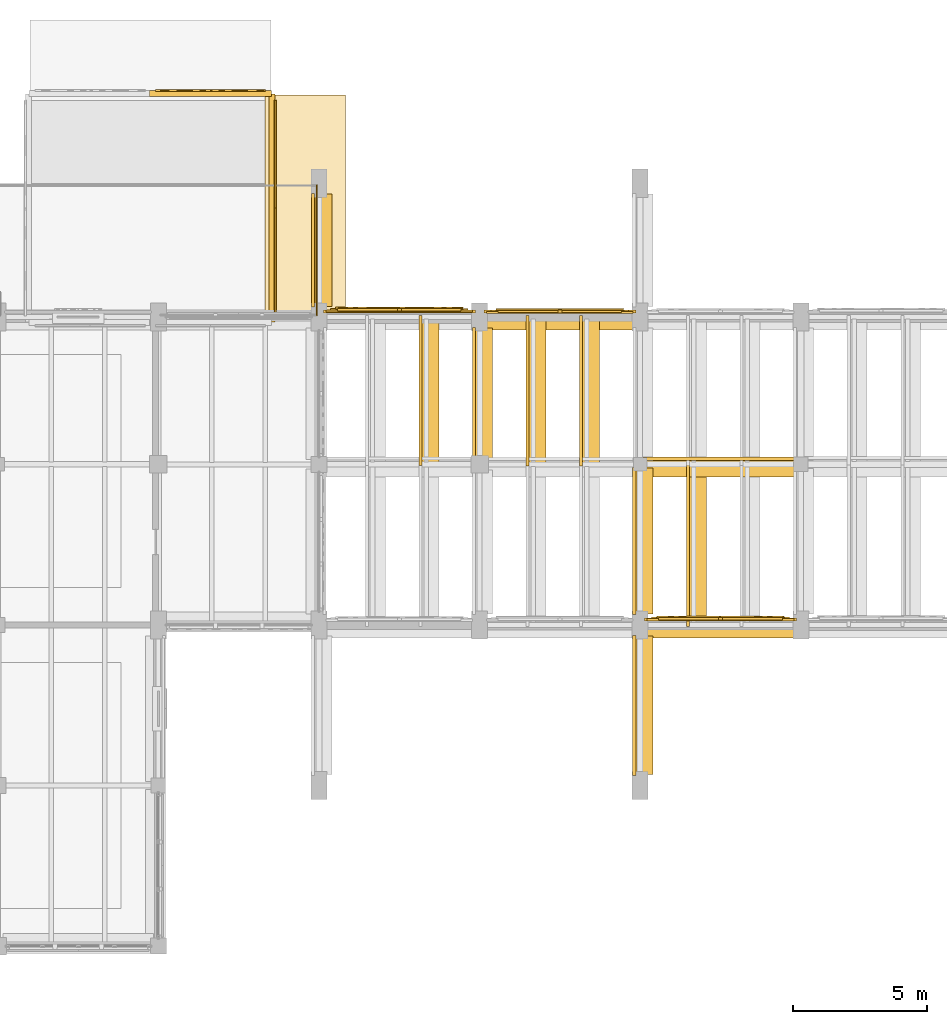
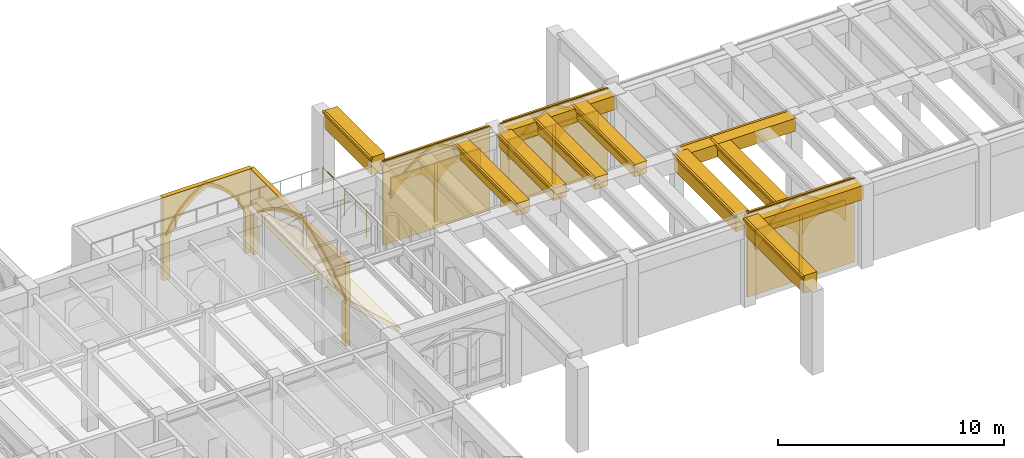
# One storey, part 116 of 127: 46 coverings, 1 railing.
"""IFC4 building model written with IfcOpenShell, lengths in metres."""

import ifcopenshell
import ifcopenshell.guid

model = None  # the IFC model being written
_history = None  # IfcOwnerHistory: only IFC2X3 demands one
_inside = {}  # id of a spatial element -> (the spatial element, [elements in it])
_under = {}  # id of a project, library or spatial element -> (it, [spatial elements below it])
_declared = {}  # id of a project -> (the project, [libraries it declares])
_typed = {}  # id of a type object -> (the type object, [elements of that type])
_made_of = {}  # id of a material, layer set ... -> (it, [elements and type objects made of it])


def new_model(schema):
    """Start an empty IFC model of exactly this schema.

    Asked for "IFC4X3", IfcOpenShell would pick the latest addendum, in which some entities
    have other attributes; the version numbers below select the first issue.
    IFC2X3 requires an IfcOwnerHistory on every rooted entity: one is made here for all.
    """
    global model, _history
    if schema == "IFC4X3":
        model = ifcopenshell.file(schema_version=(4, 3, 0, 0))
    else:
        model = ifcopenshell.file(schema=schema)
    _inside.clear()
    _under.clear()
    _declared.clear()
    _typed.clear()
    _made_of.clear()
    _history = None
    if model.schema == "IFC2X3":
        org = make("IfcOrganization", Name="unknown")
        user = make(
            "IfcPersonAndOrganization",
            ThePerson=make("IfcPerson", FamilyName="unknown"),
            TheOrganization=org,
        )
        app = make(
            "IfcApplication",
            ApplicationDeveloper=org,
            Version="unknown",
            ApplicationFullName="unknown",
            ApplicationIdentifier="unknown",
        )
        _history = make(
            "IfcOwnerHistory",
            OwningUser=user,
            OwningApplication=app,
            ChangeAction="ADDED",
            CreationDate=0,
        )
    return model


def make(cls, **values):
    """One entity of the class cls with the attributes given. An attribute that is None is left unset."""
    return model.create_entity(
        cls, **{name: value for name, value in values.items() if value is not None}
    )


def rooted(cls, **values):
    """An entity with a GlobalId (a new one), such as an element, a storey or a relation."""
    return make(cls, GlobalId=ifcopenshell.guid.new(), OwnerHistory=_history, **values)


def si_unit(unit_type, name, prefix=None):
    """IfcSIUnit, for example si_unit("LENGTHUNIT", "METRE", prefix="MILLI")."""
    return make("IfcSIUnit", UnitType=unit_type, Prefix=prefix, Name=name)


def assignment(units):
    """IfcUnitAssignment: the units of a project."""
    return None if units is None else make("IfcUnitAssignment", Units=units)


def point(xyz):
    """IfcCartesianPoint."""
    return None if xyz is None else make("IfcCartesianPoint", Coordinates=xyz)


def direction(xyz):
    """IfcDirection."""
    return None if xyz is None else make("IfcDirection", DirectionRatios=xyz)


def frame(location, z_axis=None, x_axis=None):
    """IfcAxis2Placement3D, a coordinate frame: its origin and axes. An axis left out is left unset."""
    return make(
        "IfcAxis2Placement3D",
        Location=point(location),
        Axis=direction(z_axis),
        RefDirection=direction(x_axis),
    )


def frame_2d(location, x_axis=None):
    """IfcAxis2Placement2D, a coordinate frame in the plane: its origin and x axis."""
    return make(
        "IfcAxis2Placement2D", Location=point(location), RefDirection=direction(x_axis)
    )


def origin():
    """The frame at (0, 0, 0) with its axes left unset."""
    return frame((0.0, 0.0, 0.0))


def origin_2d():
    """The frame at (0, 0) in the plane with its x axis left unset."""
    return frame_2d((0.0, 0.0))


def place(relative_to, where):
    """IfcLocalPlacement: puts the frame where relative to a parent placement (None: the world)."""
    return make(
        "IfcLocalPlacement", PlacementRelTo=relative_to, RelativePlacement=where
    )


def context(
    kind, dimensions, precision=None, world=None, true_north=None, identifier=None
):
    """IfcGeometricRepresentationContext, for example the 3D "Model" context."""
    return make(
        "IfcGeometricRepresentationContext",
        ContextIdentifier=identifier,
        ContextType=kind,
        CoordinateSpaceDimension=dimensions,
        Precision=precision,
        WorldCoordinateSystem=world,
        TrueNorth=true_north,
    )


def subcontext(parent, identifier, kind, view, scale=None):
    """IfcGeometricRepresentationSubContext, for example "Body" below "Model"."""
    return make(
        "IfcGeometricRepresentationSubContext",
        ContextIdentifier=identifier,
        ContextType=kind,
        ParentContext=parent,
        TargetScale=scale,
        TargetView=view,
    )


def project(units=None, contexts=None):
    """IfcProject with its units and contexts."""
    return rooted(
        "IfcProject",
        Name="project",
        RepresentationContexts=contexts,
        UnitsInContext=assignment(units),
    )


def spatial(cls, under=None, at=None, **own):
    """A site, building, storey or space (cls), placed at a placement, below another one or the project."""
    s = rooted(cls, ObjectPlacement=at, **own)
    if under is not None:
        _under.setdefault(under.id(), (under, []))[1].append(s)
    return s


def polyline(points):
    """IfcPolyline through the points."""
    return make("IfcPolyline", Points=[point(p) for p in points])


def profile(cls, at=None, kind="AREA", **sizes):
    """A parametric profile (cls). Its sizes go by their IFC names, for example OverallWidth=200.0."""
    return make(cls, ProfileType=kind, Position=at, **sizes)


def rectangle(**sizes):
    """IfcRectangleProfileDef."""
    return profile("IfcRectangleProfileDef", **sizes)


def circle(**sizes):
    """IfcCircleProfileDef."""
    return profile("IfcCircleProfileDef", **sizes)


def outline(outer, holes=None, kind="AREA"):
    """IfcArbitraryClosedProfileDef: a profile drawn as a closed curve; with holes, ...WithVoids."""
    if holes is None:
        return make("IfcArbitraryClosedProfileDef", ProfileType=kind, OuterCurve=outer)
    return make(
        "IfcArbitraryProfileDefWithVoids",
        ProfileType=kind,
        OuterCurve=outer,
        InnerCurves=holes,
    )


def extrude(swept, where, along, depth):
    """IfcExtrudedAreaSolid: the profile swept, set in the frame where, extruded along a direction by depth."""
    return make(
        "IfcExtrudedAreaSolid",
        SweptArea=swept,
        Position=where,
        ExtrudedDirection=direction(along),
        Depth=depth,
    )


def shape(context_of_items, identifier, shape_type, items):
    """IfcShapeRepresentation: the items that make up one representation, for example the "Body"."""
    return make(
        "IfcShapeRepresentation",
        ContextOfItems=context_of_items,
        RepresentationIdentifier=identifier,
        RepresentationType=shape_type,
        Items=items,
    )


def material(Name=None, Category=None):
    """IfcMaterial."""
    return make("IfcMaterial", Name=Name, Category=Category)


def made_of(thing, what):
    """Note that an element or type object is made of a material, layer set ...; save() writes the relation."""
    if what is not None:
        _made_of.setdefault(what.id(), (what, []))[1].append(thing)
    return thing


def type_object(cls, material=None, **own):
    """A type object (cls), such as IfcWallType, which elements share."""
    return made_of(rooted(cls, **own), material)


def element(
    cls,
    number,
    at=None,
    inside=None,
    cuts=None,
    type_object=None,
    material=None,
    context=None,
    identifier="Body",
    shape_type=None,
    held_by="IfcProductDefinitionShape",
    body=None,
    shapes=None,
    **own,
):
    """One element of the class cls, such as IfcWall. Its Tag is "e" and its number.

    at: its placement. inside: the storey or other place that contains it. cuts: it is an
    opening in that element (IfcRelVoidsElement). A single representation is given by context,
    identifier, shape_type and body (its items); several are given by shapes. held_by: the class
    of the entity that holds the representations. save() writes the other relations.
    """
    e = rooted(cls, Tag="e%d" % number, ObjectPlacement=at, **own)
    if body is not None:
        shapes = [shape(context, identifier, shape_type, body)]
    if shapes is not None:
        e.Representation = make(held_by, Representations=shapes)
    if inside is not None:
        _inside.setdefault(inside.id(), (inside, []))[1].append(e)
    if cuts is not None:
        rooted(
            "IfcRelVoidsElement", RelatingBuildingElement=cuts, RelatedOpeningElement=e
        )
    if type_object is not None:
        _typed.setdefault(type_object.id(), (type_object, []))[1].append(e)
    return made_of(e, material)


def aggregate(whole, parts):
    """IfcRelAggregates: a whole, such as a stair, and the parts it consists of."""
    return rooted("IfcRelAggregates", RelatingObject=whole, RelatedObjects=parts)


def save(model, path):
    """Write the relations noted so far, then the file.

    IfcRelAggregates (storeys below a building ...), IfcRelContainedInSpatialStructure (elements
    in a storey), IfcRelDefinesByType, IfcRelAssociatesMaterial and IfcRelDeclares: one each for
    every whole, place, type object, material and project.
    """
    for whole, parts in _under.values():
        aggregate(whole, parts)
    for where, things in _inside.values():
        rooted(
            "IfcRelContainedInSpatialStructure",
            RelatedElements=things,
            RelatingStructure=where,
        )
    for kind, things in _typed.values():
        rooted("IfcRelDefinesByType", RelatedObjects=things, RelatingType=kind)
    for what, things in _made_of.values():
        rooted("IfcRelAssociatesMaterial", RelatedObjects=things, RelatingMaterial=what)
    for by, libraries in _declared.values():
        rooted("IfcRelDeclares", RelatingContext=by, RelatedDefinitions=libraries)
    model.write(path)


model = new_model("IFC4")

# Units and contexts
model_context = context("Model", 3, precision=1e-05, world=origin(), true_north=direction((0.0, 1.0)))
body_context = subcontext(model_context, "Body", "Model", "MODEL_VIEW")
ifc_project = project(units=[si_unit("LENGTHUNIT", "METRE"), si_unit("AREAUNIT", "SQUARE_METRE"), si_unit("VOLUMEUNIT", "CUBIC_METRE"), si_unit("PLANEANGLEUNIT", "RADIAN"), si_unit("MASSUNIT", "GRAM", prefix="KILO")], contexts=[model_context])

# Site, building, storey
site_placement = place(None, origin())
site = spatial("IfcSite", under=ifc_project, at=site_placement, CompositionType="ELEMENT")
building_placement = place(site_placement, origin())
building = spatial("IfcBuilding", under=site, at=building_placement, Name="Cumevento Cable Car Station", CompositionType="ELEMENT")
storey_placement = place(building_placement, frame((0.0, 0.0, 4.5)))
storey = spatial("IfcBuildingStorey", under=building, at=storey_placement, Name="L02", CompositionType="ELEMENT", Elevation=4.5)

# Railing
ifc_material_1 = material(Name="Painted Galvanised Architectural Steel", Category="steel")
railing_type = type_object("IfcRailingType", Name="Terrace Guardrail GR-T150 1500", PredefinedType="GUARDRAIL", material=ifc_material_1)
railing_placement = place(storey_placement, frame((87.919921875, 56.580078125, 0.0)))
element("IfcRailing", 1, at=railing_placement, inside=storey, type_object=railing_type, Name="Panoramic Terrace Guardrail GR-T150 #20", PredefinedType="GUARDRAIL", context=body_context, shape_type="SweptSolid", body=[
    extrude(circle(Radius=0.02490234375, at=origin_2d()), frame((0.0, 0.0, 1.47509765625), z_axis=(0.0, 1.0, 0.0), x_axis=(-1.0, 0.0, 0.0)), (0.0, 0.0, 1.0), 4.83984375),
    extrude(circle(Radius=0.02099609375, at=origin_2d()), origin(), (0.0, 0.0, 1.0), 1.449951171875),
    extrude(circle(Radius=0.02099609375, at=origin_2d()), frame((0.0, 0.968017578125, 0.0)), (0.0, 0.0, 1.0), 1.449951171875),
    extrude(circle(Radius=0.02099609375, at=origin_2d()), frame((0.0, 1.93603515625, 0.0)), (0.0, 0.0, 1.0), 1.449951171875),
    extrude(circle(Radius=0.02099609375, at=origin_2d()), frame((0.0, 2.90380859375, 0.0)), (0.0, 0.0, 1.0), 1.449951171875),
    extrude(circle(Radius=0.02099609375, at=origin_2d()), frame((0.0, 3.871826171875, 0.0)), (0.0, 0.0, 1.0), 1.449951171875),
    extrude(circle(Radius=0.02099609375, at=origin_2d()), frame((0.0, 4.83984375, 0.0)), (0.0, 0.0, 1.0), 1.449951171875),
])

# Coverings
ifc_material_2 = material(Name="Gnaisse Facoidal Stone Ashlar 85 MPa", Category="masonry")
covering_type = type_object("IfcCoveringType", Name="Gnaisse Ashlar Cladding CV-CL01", PredefinedType="CLADDING", material=ifc_material_2)
covering_1_placement = place(storey_placement, frame((103.0, 44.85009765625, 3.722900390625), z_axis=(0.0, 0.0, 1.0), x_axis=(1.0, 0.0, 0.0)))
element("IfcCovering", 2, at=covering_1_placement, inside=storey, type_object=covering_type, Name="Gothic Stone Spandrel Stringcourse sc:0401", PredefinedType="CLADDING", context=body_context, shape_type="SweptSolid", body=[
    extrude(rectangle(XDim=5.639892578125, YDim=0.659912109375, at=origin_2d()), origin(), (0.0, 0.0, 1.0), 0.7470703125),
])
covering_2_placement = place(storey_placement, frame((103.0, 45.20751953125, 4.340087890625), z_axis=(0.0, 0.0, 1.0), x_axis=(1.0, 0.0, 0.0)))
element("IfcCovering", 3, at=covering_2_placement, inside=storey, type_object=covering_type, Name="Gothic Cornice Dripstone Lip sc:0401", PredefinedType="CLADDING", context=body_context, shape_type="SweptSolid", body=[
    extrude(rectangle(XDim=5.679931640625, YDim=0.114990234375, at=origin_2d()), origin(), (0.0, 0.0, 1.0), 0.1298828125),
])
covering_3_placement = place(storey_placement, frame((102.987548828125, 50.851318359375, 3.77587890625), z_axis=(0.0, 0.0, 1.0), x_axis=(1.0, 0.0, 0.0)))
element("IfcCovering", 4, at=covering_3_placement, inside=storey, type_object=covering_type, Name="Gothic Stone Spandrel Stringcourse sc:0406", PredefinedType="CLADDING", context=body_context, shape_type="SweptSolid", body=[
    extrude(rectangle(XDim=5.715087890625, YDim=0.66259765625, at=origin_2d()), origin(), (0.0, 0.0, 1.0), 0.694091796875),
])
covering_4_placement = place(storey_placement, frame((102.987548828125, 51.2099609375, 4.340087890625), z_axis=(0.0, 0.0, 1.0), x_axis=(1.0, 0.0, 0.0)))
element("IfcCovering", 5, at=covering_4_placement, inside=storey, type_object=covering_type, Name="Gothic Cornice Dripstone Lip sc:0406", PredefinedType="CLADDING", context=body_context, shape_type="SweptSolid", body=[
    extrude(rectangle(XDim=5.7548828125, YDim=0.114990234375, at=origin_2d()), origin(), (0.0, 0.0, 1.0), 0.1298828125),
])
covering_5_placement = place(storey_placement, frame((91.0, 56.70751953125, 4.340087890625), z_axis=(0.0, 0.0, 1.0), x_axis=(1.0, 0.0, 0.0)))
element("IfcCovering", 6, at=covering_5_placement, inside=storey, type_object=covering_type, Name="Gothic Cornice Dripstone Lip sc:0409", PredefinedType="CLADDING", context=body_context, shape_type="SweptSolid", body=[
    extrude(rectangle(XDim=5.679931640625, YDim=0.114990234375, at=origin_2d()), origin(), (0.0, 0.0, 1.0), 0.1298828125),
])
covering_6_placement = place(storey_placement, frame((97.0, 56.35009765625, 3.722900390625), z_axis=(0.0, 0.0, 1.0), x_axis=(1.0, 0.0, 0.0)))
element("IfcCovering", 7, at=covering_6_placement, inside=storey, type_object=covering_type, Name="Gothic Stone Spandrel Stringcourse sc:0410", PredefinedType="CLADDING", context=body_context, shape_type="SweptSolid", body=[
    extrude(rectangle(XDim=5.639892578125, YDim=0.659912109375, at=origin_2d()), origin(), (0.0, 0.0, 1.0), 0.7470703125),
])
covering_7_placement = place(storey_placement, frame((97.0, 56.70751953125, 4.340087890625), z_axis=(0.0, 0.0, 1.0), x_axis=(1.0, 0.0, 0.0)))
element("IfcCovering", 8, at=covering_7_placement, inside=storey, type_object=covering_type, Name="Gothic Cornice Dripstone Lip sc:0410", PredefinedType="CLADDING", context=body_context, shape_type="SweptSolid", body=[
    extrude(rectangle(XDim=5.679931640625, YDim=0.114990234375, at=origin_2d()), origin(), (0.0, 0.0, 1.0), 0.1298828125),
])
covering_8_placement = place(storey_placement, frame((94.148681640625, 53.64990234375, 3.77587890625), z_axis=(0.0, 0.0, 1.0), x_axis=(0.0, 1.0, 0.0)))
element("IfcCovering", 9, at=covering_8_placement, inside=storey, type_object=covering_type, Name="Gothic Stone Spandrel Stringcourse sc:0415", PredefinedType="CLADDING", context=body_context, shape_type="SweptSolid", body=[
    extrude(rectangle(XDim=4.889892578125, YDim=0.66259765625, at=origin_2d()), origin(), (0.0, 0.0, 1.0), 0.694091796875),
])
covering_9_placement = place(storey_placement, frame((93.7900390625, 53.64990234375, 4.340087890625), z_axis=(0.0, 0.0, 1.0), x_axis=(0.0, 1.0, 0.0)))
element("IfcCovering", 10, at=covering_9_placement, inside=storey, type_object=covering_type, Name="Gothic Cornice Dripstone Lip sc:0415", PredefinedType="CLADDING", context=body_context, shape_type="SweptSolid", body=[
    extrude(rectangle(XDim=4.929931640625, YDim=0.114990234375, at=origin_2d()), origin(), (0.0, 0.0, 1.0), 0.1298828125),
])
covering_10_placement = place(storey_placement, frame((100.14306640625, 48.137451171875, 3.52197265625), z_axis=(0.0, 0.0, 1.0), x_axis=(0.0, 1.0, 0.0)))
element("IfcCovering", 11, at=covering_10_placement, inside=storey, type_object=covering_type, Name="Gothic Stone Spandrel Stringcourse sc:0416", PredefinedType="CLADDING", context=body_context, shape_type="SweptSolid", body=[
    extrude(rectangle(XDim=5.465087890625, YDim=0.674072265625, at=origin_2d()), origin(), (0.0, 0.0, 1.0), 0.947998046875),
])
covering_11_placement = place(storey_placement, frame((99.778564453125, 48.137451171875, 4.340087890625), z_axis=(0.0, 0.0, 1.0), x_axis=(0.0, 1.0, 0.0)))
element("IfcCovering", 12, at=covering_11_placement, inside=storey, type_object=covering_type, Name="Gothic Cornice Dripstone Lip sc:0416", PredefinedType="CLADDING", context=body_context, shape_type="SweptSolid", body=[
    extrude(rectangle(XDim=5.5048828125, YDim=0.114990234375, at=origin_2d()), origin(), (0.0, 0.0, 1.0), 0.1298828125),
])
covering_12_placement = place(storey_placement, frame((92.14990234375, 53.75830078125, 3.81298828125), z_axis=(0.0, 0.0, 1.0), x_axis=(0.0, 1.0, 0.0)))
element("IfcCovering", 13, at=covering_12_placement, inside=storey, type_object=covering_type, Name="Gothic Stone Spandrel Stringcourse sc:0523", PredefinedType="CLADDING", context=body_context, shape_type="SweptSolid", body=[
    extrude(rectangle(XDim=5.569580078125, YDim=0.659912109375, at=origin_2d()), origin(), (0.0, 0.0, 1.0), 0.656982421875),
])
covering_13_placement = place(storey_placement, frame((91.79248046875, 53.75830078125, 4.340087890625), z_axis=(0.0, 0.0, 1.0), x_axis=(0.0, 1.0, 0.0)))
element("IfcCovering", 14, at=covering_13_placement, inside=storey, type_object=covering_type, Name="Gothic Cornice Dripstone Lip sc:0523", PredefinedType="CLADDING", context=body_context, shape_type="SweptSolid", body=[
    extrude(rectangle(XDim=5.609619140625, YDim=0.114990234375, at=origin_2d()), origin(), (0.0, 0.0, 1.0), 0.1298828125),
])
covering_14_placement = place(storey_placement, frame((96.14990234375, 53.7529296875, 3.81298828125), z_axis=(0.0, 0.0, 1.0), x_axis=(0.0, 1.0, 0.0)))
element("IfcCovering", 15, at=covering_14_placement, inside=storey, type_object=covering_type, Name="Gothic Stone Spandrel Stringcourse sc:0525", PredefinedType="CLADDING", context=body_context, shape_type="SweptSolid", body=[
    extrude(rectangle(XDim=5.580078125, YDim=0.659912109375, at=origin_2d()), origin(), (0.0, 0.0, 1.0), 0.656982421875),
])
covering_15_placement = place(storey_placement, frame((95.79248046875, 53.7529296875, 4.340087890625), z_axis=(0.0, 0.0, 1.0), x_axis=(0.0, 1.0, 0.0)))
element("IfcCovering", 16, at=covering_15_placement, inside=storey, type_object=covering_type, Name="Gothic Cornice Dripstone Lip sc:0525", PredefinedType="CLADDING", context=body_context, shape_type="SweptSolid", body=[
    extrude(rectangle(XDim=5.6201171875, YDim=0.114990234375, at=origin_2d()), origin(), (0.0, 0.0, 1.0), 0.1298828125),
])
covering_16_placement = place(storey_placement, frame((98.14990234375, 53.7529296875, 3.81298828125), z_axis=(0.0, 0.0, 1.0), x_axis=(0.0, 1.0, 0.0)))
element("IfcCovering", 17, at=covering_16_placement, inside=storey, type_object=covering_type, Name="Gothic Stone Spandrel Stringcourse sc:0527", PredefinedType="CLADDING", context=body_context, shape_type="SweptSolid", body=[
    extrude(rectangle(XDim=5.580078125, YDim=0.659912109375, at=origin_2d()), origin(), (0.0, 0.0, 1.0), 0.656982421875),
])
covering_17_placement = place(storey_placement, frame((97.79248046875, 53.7529296875, 4.340087890625), z_axis=(0.0, 0.0, 1.0), x_axis=(0.0, 1.0, 0.0)))
element("IfcCovering", 18, at=covering_17_placement, inside=storey, type_object=covering_type, Name="Gothic Cornice Dripstone Lip sc:0527", PredefinedType="CLADDING", context=body_context, shape_type="SweptSolid", body=[
    extrude(rectangle(XDim=5.6201171875, YDim=0.114990234375, at=origin_2d()), origin(), (0.0, 0.0, 1.0), 0.1298828125),
])
covering_18_placement = place(storey_placement, frame((102.14990234375, 47.9931640625, 3.77490234375), z_axis=(0.0, 0.0, 1.0), x_axis=(0.0, 1.0, 0.0)))
element("IfcCovering", 19, at=covering_18_placement, inside=storey, type_object=covering_type, Name="Gothic Stone Spandrel Stringcourse sc:0528", PredefinedType="CLADDING", context=body_context, shape_type="SweptSolid", body=[
    extrude(rectangle(XDim=6.072509765625, YDim=0.659912109375, at=origin_2d()), origin(), (0.0, 0.0, 1.0), 0.695068359375),
])
covering_19_placement = place(storey_placement, frame((101.79248046875, 47.9931640625, 4.340087890625), z_axis=(0.0, 0.0, 1.0), x_axis=(0.0, 1.0, 0.0)))
element("IfcCovering", 20, at=covering_19_placement, inside=storey, type_object=covering_type, Name="Gothic Cornice Dripstone Lip sc:0528", PredefinedType="CLADDING", context=body_context, shape_type="SweptSolid", body=[
    extrude(rectangle(XDim=6.112548828125, YDim=0.114990234375, at=origin_2d()), origin(), (0.0, 0.0, 1.0), 0.1298828125),
])
covering_20_placement = place(storey_placement, frame((88.14306640625, 59.0, 3.83203125), z_axis=(0.0, 0.0, 1.0), x_axis=(0.0, 1.0, 0.0)))
element("IfcCovering", 21, at=covering_20_placement, inside=storey, type_object=covering_type, Name="Gothic Stone Spandrel Stringcourse sc:0856", PredefinedType="CLADDING", context=body_context, shape_type="SweptSolid", body=[
    extrude(rectangle(XDim=4.18994140625, YDim=0.674072265625, at=origin_2d()), origin(), (0.0, 0.0, 1.0), 0.947998046875),
])
covering_21_placement = place(storey_placement, frame((87.778564453125, 59.0, 4.650146484375), z_axis=(0.0, 0.0, 1.0), x_axis=(0.0, 1.0, 0.0)))
element("IfcCovering", 22, at=covering_21_placement, inside=storey, type_object=covering_type, Name="Gothic Cornice Dripstone Lip sc:0856", PredefinedType="CLADDING", context=body_context, shape_type="SweptSolid", body=[
    extrude(rectangle(XDim=4.22998046875, YDim=0.114990234375, at=origin_2d()), origin(), (0.0, 0.0, 1.0), 0.1298828125),
])
covering_22_placement = place(storey_placement, frame((100.14306640625, 42.0, 3.83203125), z_axis=(0.0, 0.0, 1.0), x_axis=(0.0, 1.0, 0.0)))
element("IfcCovering", 23, at=covering_22_placement, inside=storey, type_object=covering_type, Name="Gothic Stone Spandrel Stringcourse sc:0867", PredefinedType="CLADDING", context=body_context, shape_type="SweptSolid", body=[
    extrude(rectangle(XDim=5.18994140625, YDim=0.674072265625, at=origin_2d()), origin(), (0.0, 0.0, 1.0), 0.947998046875),
])
covering_23_placement = place(storey_placement, frame((99.778564453125, 42.0, 4.650146484375), z_axis=(0.0, 0.0, 1.0), x_axis=(0.0, 1.0, 0.0)))
element("IfcCovering", 24, at=covering_23_placement, inside=storey, type_object=covering_type, Name="Gothic Cornice Dripstone Lip sc:0867", PredefinedType="CLADDING", context=body_context, shape_type="SweptSolid", body=[
    extrude(rectangle(XDim=5.22998046875, YDim=0.114990234375, at=origin_2d()), origin(), (0.0, 0.0, 1.0), 0.1298828125),
])
covering_24_placement = place(storey_placement, frame((100.300048828125, 45.0, 0.0), z_axis=(0.0, 0.0, 1.0), x_axis=(1.0, 0.0, 0.0)))
element("IfcCovering", 25, at=covering_24_placement, inside=storey, type_object=covering_type, Name="Exterior Gnaisse Stone Wall Ashlar #50", PredefinedType="CLADDING", context=body_context, shape_type="SweptSolid", body=[
    extrude(outline(polyline([(-0.0400390625, -0.02001953125), (5.43994140625, -0.02001953125), (5.43994140625, 4.52001953125), (-0.0400390625, 4.52001953125), (-0.0400390625, -0.02001953125)])), frame((0.0, 0.237548828125, 0.0), z_axis=(0.0, -1.0, 0.0), x_axis=(1.0, 0.0, 0.0)), (0.0, 0.0, 1.0), 0.0849609375),
])
placement_1 = place(storey_placement, frame((100.47998046875, 45.0, 0.300048828125), z_axis=(0.0, 0.0, 1.0), x_axis=(1.0, 0.0, 0.0)))
element("IfcCovering", 26, at=placement_1, inside=storey, type_object=covering_type, Name="Gothic Ogival Pointed-Arch Stone Spandrel blind_ogival:0050", PredefinedType="CLADDING", context=body_context, shape_type="SweptSolid", body=[
    extrude(outline(polyline([(-0.050048828125, 0.0), (-0.050048828125, 4.239990234375), (5.090087890625, 4.239990234375), (5.090087890625, 0.0), (4.780029296875, 0.0), (4.780029296875, 2.219970703125), (4.531982421875, 2.55810546875), (4.255126953125, 2.872802734375), (3.951416015625, 3.161865234375), (3.62353515625, 3.423095703125), (3.273681640625, 3.654296875), (2.905029296875, 3.853759765625), (2.52001953125, 4.02001953125), (2.135009765625, 3.853759765625), (1.766357421875, 3.654296875), (1.41650390625, 3.423095703125), (1.088623046875, 3.161865234375), (0.784912109375, 2.872802734375), (0.508056640625, 2.55810546875), (0.260009765625, 2.219970703125), (0.260009765625, 0.0), (-0.050048828125, 0.0)])), frame((0.0, 0.29248046875, 0.0), z_axis=(0.0, -1.0, 0.0), x_axis=(1.0, 0.0, 0.0)), (0.0, 0.0, 1.0), 0.110107421875),
])
covering_26_placement = place(storey_placement, frame((100.47998046875, 45.0, 2.52001953125), z_axis=(0.0, 0.0, 1.0), x_axis=(1.0, 0.0, 0.0)))
element("IfcCovering", 27, at=covering_26_placement, inside=storey, type_object=covering_type, Name="Gothic Pointed Archivolt Hood Moulding blind_ogival:0050", PredefinedType="CLADDING", context=body_context, shape_type="SweptSolid", body=[
    extrude(outline(polyline([(0.260009765625, 0.0), (0.508056640625, 0.338134765625), (0.784912109375, 0.65283203125), (1.088623046875, 0.94189453125), (1.41650390625, 1.203125), (1.766357421875, 1.434326171875), (2.135009765625, 1.6337890625), (2.52001953125, 1.800048828125), (2.905029296875, 1.6337890625), (3.273681640625, 1.434326171875), (3.62353515625, 1.203125), (3.951416015625, 0.94189453125), (4.255126953125, 0.65283203125), (4.531982421875, 0.338134765625), (4.780029296875, 0.0), (4.90087890625, 0.0), (4.6435546875, 0.365478515625), (4.354248046875, 0.706298828125), (4.03564453125, 1.01953125), (3.689697265625, 1.302978515625), (3.31982421875, 1.553955078125), (2.928955078125, 1.770751953125), (2.52001953125, 1.951171875), (2.111083984375, 1.770751953125), (1.72021484375, 1.553955078125), (1.350341796875, 1.302978515625), (1.00439453125, 1.01953125), (0.685791015625, 0.706298828125), (0.396484375, 0.365478515625), (0.138916015625, 0.0), (0.260009765625, 0.0)])), frame((0.0, 0.33447265625, 0.0), z_axis=(0.0, -1.0, 0.0), x_axis=(1.0, 0.0, 0.0)), (0.0, 0.0, 1.0), 0.06689453125),
])
element("IfcCovering", 28, at=placement_1, inside=storey, type_object=covering_type, Name="Gothic Bifora Stone Colonnette blind_ogival:0050 #1", PredefinedType="CLADDING", context=body_context, shape_type="SweptSolid", body=[
    extrude(outline(polyline([(2.445068359375, -0.02001953125), (2.594970703125, -0.02001953125), (2.594970703125, 3.156005859375), (2.445068359375, 3.156005859375), (2.445068359375, -0.02001953125)])), frame((0.0, 0.280517578125, 0.0), z_axis=(0.0, -1.0, 0.0), x_axis=(1.0, 0.0, 0.0)), (0.0, 0.0, 1.0), 0.094970703125),
])
for number, where, z_axis, x_axis, name in (
    (29, (100.7099609375, 45.0, 2.340087890625), (0.0, 0.0, 1.0), (1.0, 0.0, 0.0), "Gothic Ogival Pointed-Arch Stone Spandrel blind_ogival:0050:sub:0"),
    (30, (103.044921875, 45.0, 2.340087890625), (0.0, 0.0, 1.0), (1.0, 0.0, 0.0), "Gothic Ogival Pointed-Arch Stone Spandrel blind_ogival:0050:sub:1"),
):
    element("IfcCovering", number, at=place(storey_placement, frame(where, z_axis=z_axis, x_axis=x_axis)), inside=storey, type_object=covering_type, Name=name, PredefinedType="CLADDING", context=body_context, shape_type="SweptSolid", body=[
        extrude(outline(polyline([(-0.02001953125, 0.0), (-0.02001953125, 1.115966796875), (2.264892578125, 1.115966796875), (2.264892578125, 0.0), (2.205078125, 0.0), (2.076171875, 0.214111328125), (1.923828125, 0.412109375), (1.75, 0.591552734375), (1.556640625, 0.75), (1.3466796875, 0.88525390625), (1.12255859375, 0.99609375), (0.8984375, 0.88525390625), (0.6884765625, 0.75), (0.4951171875, 0.591552734375), (0.3212890625, 0.412109375), (0.1689453125, 0.214111328125), (0.0400390625, 0.0), (-0.02001953125, 0.0)])), frame((0.0, 0.276611328125, 0.0), z_axis=(0.0, -1.0, 0.0), x_axis=(1.0, 0.0, 0.0)), (0.0, 0.0, 1.0), 0.090087890625),
    ])
covering_28_placement = place(storey_placement, frame((88.300048828125, 56.5, 0.0), z_axis=(0.0, 0.0, 1.0), x_axis=(1.0, 0.0, 0.0)))
element("IfcCovering", 31, at=covering_28_placement, inside=storey, type_object=covering_type, Name="Exterior Gnaisse Stone Wall Ashlar #53", PredefinedType="CLADDING", context=body_context, shape_type="SweptSolid", body=[
    extrude(outline(polyline([(-0.0400390625, -0.02001953125), (5.43994140625, -0.02001953125), (5.43994140625, 4.52001953125), (-0.0400390625, 4.52001953125), (-0.0400390625, -0.02001953125)])), frame((0.0, 0.27490234375, 0.0), z_axis=(0.0, -1.0, 0.0), x_axis=(1.0, 0.0, 0.0)), (0.0, 0.0, 1.0), 0.0849609375),
])
placement_2 = place(storey_placement, frame((88.47998046875, 56.5, 0.300048828125), z_axis=(0.0, 0.0, 1.0), x_axis=(1.0, 0.0, 0.0)))
element("IfcCovering", 32, at=placement_2, inside=storey, type_object=covering_type, Name="Gothic Ogival Pointed-Arch Stone Spandrel blind_ogival:0053", PredefinedType="CLADDING", context=body_context, shape_type="SweptSolid", body=[
    extrude(outline(polyline([(-0.050048828125, 0.0), (-0.050048828125, 4.239990234375), (5.090087890625, 4.239990234375), (5.090087890625, 0.0), (4.780029296875, 0.0), (4.780029296875, 2.219970703125), (4.531982421875, 2.55810546875), (4.255126953125, 2.872802734375), (3.951416015625, 3.161865234375), (3.62353515625, 3.423095703125), (3.273681640625, 3.654296875), (2.905029296875, 3.853759765625), (2.52001953125, 4.02001953125), (2.135009765625, 3.853759765625), (1.766357421875, 3.654296875), (1.41650390625, 3.423095703125), (1.088623046875, 3.161865234375), (0.784912109375, 2.872802734375), (0.508056640625, 2.55810546875), (0.260009765625, 2.219970703125), (0.260009765625, 0.0), (-0.050048828125, 0.0)])), frame((0.0, 0.330078125, 0.0), z_axis=(0.0, -1.0, 0.0), x_axis=(1.0, 0.0, 0.0)), (0.0, 0.0, 1.0), 0.110107421875),
])
covering_30_placement = place(storey_placement, frame((88.47998046875, 56.5, 2.52001953125), z_axis=(0.0, 0.0, 1.0), x_axis=(1.0, 0.0, 0.0)))
element("IfcCovering", 33, at=covering_30_placement, inside=storey, type_object=covering_type, Name="Gothic Pointed Archivolt Hood Moulding blind_ogival:0053", PredefinedType="CLADDING", context=body_context, shape_type="SweptSolid", body=[
    extrude(outline(polyline([(0.260009765625, 0.0), (0.508056640625, 0.338134765625), (0.784912109375, 0.65283203125), (1.088623046875, 0.94189453125), (1.41650390625, 1.203125), (1.766357421875, 1.434326171875), (2.135009765625, 1.6337890625), (2.52001953125, 1.800048828125), (2.905029296875, 1.6337890625), (3.273681640625, 1.434326171875), (3.62353515625, 1.203125), (3.951416015625, 0.94189453125), (4.255126953125, 0.65283203125), (4.531982421875, 0.338134765625), (4.780029296875, 0.0), (4.90087890625, 0.0), (4.6435546875, 0.365478515625), (4.354248046875, 0.706298828125), (4.03564453125, 1.01953125), (3.689697265625, 1.302978515625), (3.31982421875, 1.553955078125), (2.928955078125, 1.770751953125), (2.52001953125, 1.951171875), (2.111083984375, 1.770751953125), (1.72021484375, 1.553955078125), (1.350341796875, 1.302978515625), (1.00439453125, 1.01953125), (0.685791015625, 0.706298828125), (0.396484375, 0.365478515625), (0.138916015625, 0.0), (0.260009765625, 0.0)])), frame((0.0, 0.3720703125, 0.0), z_axis=(0.0, -1.0, 0.0), x_axis=(1.0, 0.0, 0.0)), (0.0, 0.0, 1.0), 0.06689453125),
])
element("IfcCovering", 34, at=placement_2, inside=storey, type_object=covering_type, Name="Gothic Bifora Stone Colonnette blind_ogival:0053 #1", PredefinedType="CLADDING", context=body_context, shape_type="SweptSolid", body=[
    extrude(outline(polyline([(2.445068359375, -0.02001953125), (2.594970703125, -0.02001953125), (2.594970703125, 3.156005859375), (2.445068359375, 3.156005859375), (2.445068359375, -0.02001953125)])), frame((0.0, 0.318115234375, 0.0), z_axis=(0.0, -1.0, 0.0), x_axis=(1.0, 0.0, 0.0)), (0.0, 0.0, 1.0), 0.094970703125),
])
for number, where, z_axis, x_axis, name in (
    (35, (88.7099609375, 56.5, 2.340087890625), (0.0, 0.0, 1.0), (1.0, 0.0, 0.0), "Gothic Ogival Pointed-Arch Stone Spandrel blind_ogival:0053:sub:0"),
    (36, (91.044921875, 56.5, 2.340087890625), (0.0, 0.0, 1.0), (1.0, 0.0, 0.0), "Gothic Ogival Pointed-Arch Stone Spandrel blind_ogival:0053:sub:1"),
):
    element("IfcCovering", number, at=place(storey_placement, frame(where, z_axis=z_axis, x_axis=x_axis)), inside=storey, type_object=covering_type, Name=name, PredefinedType="CLADDING", context=body_context, shape_type="SweptSolid", body=[
        extrude(outline(polyline([(-0.02001953125, 0.0), (-0.02001953125, 1.115966796875), (2.264892578125, 1.115966796875), (2.264892578125, 0.0), (2.205078125, 0.0), (2.076171875, 0.214111328125), (1.923828125, 0.412109375), (1.75, 0.591552734375), (1.556640625, 0.75), (1.3466796875, 0.88525390625), (1.12255859375, 0.99609375), (0.8984375, 0.88525390625), (0.6884765625, 0.75), (0.4951171875, 0.591552734375), (0.3212890625, 0.412109375), (0.1689453125, 0.214111328125), (0.0400390625, 0.0), (-0.02001953125, 0.0)])), frame((0.0, 0.31396484375, 0.0), z_axis=(0.0, -1.0, 0.0), x_axis=(1.0, 0.0, 0.0)), (0.0, 0.0, 1.0), 0.090087890625),
    ])
covering_32_placement = place(storey_placement, frame((94.300048828125, 56.5, 0.0), z_axis=(0.0, 0.0, 1.0), x_axis=(1.0, 0.0, 0.0)))
element("IfcCovering", 37, at=covering_32_placement, inside=storey, type_object=covering_type, Name="Exterior Gnaisse Stone Wall Ashlar #54", PredefinedType="CLADDING", context=body_context, shape_type="SweptSolid", body=[
    extrude(outline(polyline([(-0.0400390625, -0.02001953125), (5.43994140625, -0.02001953125), (5.43994140625, 4.52001953125), (-0.0400390625, 4.52001953125), (-0.0400390625, -0.02001953125)])), frame((0.0, 0.215087890625, 0.0), z_axis=(0.0, -1.0, 0.0), x_axis=(1.0, 0.0, 0.0)), (0.0, 0.0, 1.0), 0.0849609375),
])
placement_3 = place(storey_placement, frame((94.47998046875, 56.5, 0.300048828125), z_axis=(0.0, 0.0, 1.0), x_axis=(1.0, 0.0, 0.0)))
element("IfcCovering", 38, at=placement_3, inside=storey, type_object=covering_type, Name="Gothic Ogival Pointed-Arch Stone Spandrel blind_ogival:0054", PredefinedType="CLADDING", context=body_context, shape_type="SweptSolid", body=[
    extrude(outline(polyline([(-0.050048828125, 0.0), (-0.050048828125, 4.239990234375), (5.090087890625, 4.239990234375), (5.090087890625, 0.0), (4.780029296875, 0.0), (4.780029296875, 2.219970703125), (4.531982421875, 2.55810546875), (4.255126953125, 2.872802734375), (3.951416015625, 3.161865234375), (3.62353515625, 3.423095703125), (3.273681640625, 3.654296875), (2.905029296875, 3.853759765625), (2.52001953125, 4.02001953125), (2.135009765625, 3.853759765625), (1.766357421875, 3.654296875), (1.41650390625, 3.423095703125), (1.088623046875, 3.161865234375), (0.784912109375, 2.872802734375), (0.508056640625, 2.55810546875), (0.260009765625, 2.219970703125), (0.260009765625, 0.0), (-0.050048828125, 0.0)])), frame((0.0, 0.27001953125, 0.0), z_axis=(0.0, -1.0, 0.0), x_axis=(1.0, 0.0, 0.0)), (0.0, 0.0, 1.0), 0.110107421875),
])
covering_34_placement = place(storey_placement, frame((94.47998046875, 56.5, 2.52001953125), z_axis=(0.0, 0.0, 1.0), x_axis=(1.0, 0.0, 0.0)))
element("IfcCovering", 39, at=covering_34_placement, inside=storey, type_object=covering_type, Name="Gothic Pointed Archivolt Hood Moulding blind_ogival:0054", PredefinedType="CLADDING", context=body_context, shape_type="SweptSolid", body=[
    extrude(outline(polyline([(0.260009765625, 0.0), (0.508056640625, 0.338134765625), (0.784912109375, 0.65283203125), (1.088623046875, 0.94189453125), (1.41650390625, 1.203125), (1.766357421875, 1.434326171875), (2.135009765625, 1.6337890625), (2.52001953125, 1.800048828125), (2.905029296875, 1.6337890625), (3.273681640625, 1.434326171875), (3.62353515625, 1.203125), (3.951416015625, 0.94189453125), (4.255126953125, 0.65283203125), (4.531982421875, 0.338134765625), (4.780029296875, 0.0), (4.90087890625, 0.0), (4.6435546875, 0.365478515625), (4.354248046875, 0.706298828125), (4.03564453125, 1.01953125), (3.689697265625, 1.302978515625), (3.31982421875, 1.553955078125), (2.928955078125, 1.770751953125), (2.52001953125, 1.951171875), (2.111083984375, 1.770751953125), (1.72021484375, 1.553955078125), (1.350341796875, 1.302978515625), (1.00439453125, 1.01953125), (0.685791015625, 0.706298828125), (0.396484375, 0.365478515625), (0.138916015625, 0.0), (0.260009765625, 0.0)])), frame((0.0, 0.31201171875, 0.0), z_axis=(0.0, -1.0, 0.0), x_axis=(1.0, 0.0, 0.0)), (0.0, 0.0, 1.0), 0.06689453125),
])
element("IfcCovering", 40, at=placement_3, inside=storey, type_object=covering_type, Name="Gothic Bifora Stone Colonnette blind_ogival:0054 #1", PredefinedType="CLADDING", context=body_context, shape_type="SweptSolid", body=[
    extrude(outline(polyline([(2.445068359375, -0.02001953125), (2.594970703125, -0.02001953125), (2.594970703125, 3.156005859375), (2.445068359375, 3.156005859375), (2.445068359375, -0.02001953125)])), frame((0.0, 0.258056640625, 0.0), z_axis=(0.0, -1.0, 0.0), x_axis=(1.0, 0.0, 0.0)), (0.0, 0.0, 1.0), 0.094970703125),
])
for number, where, z_axis, x_axis, name in (
    (41, (94.7099609375, 56.5, 2.340087890625), (0.0, 0.0, 1.0), (1.0, 0.0, 0.0), "Gothic Ogival Pointed-Arch Stone Spandrel blind_ogival:0054:sub:0"),
    (42, (97.044921875, 56.5, 2.340087890625), (0.0, 0.0, 1.0), (1.0, 0.0, 0.0), "Gothic Ogival Pointed-Arch Stone Spandrel blind_ogival:0054:sub:1"),
):
    element("IfcCovering", number, at=place(storey_placement, frame(where, z_axis=z_axis, x_axis=x_axis)), inside=storey, type_object=covering_type, Name=name, PredefinedType="CLADDING", context=body_context, shape_type="SweptSolid", body=[
        extrude(outline(polyline([(-0.02001953125, 0.0), (-0.02001953125, 1.115966796875), (2.264892578125, 1.115966796875), (2.264892578125, 0.0), (2.205078125, 0.0), (2.076171875, 0.214111328125), (1.923828125, 0.412109375), (1.75, 0.591552734375), (1.556640625, 0.75), (1.3466796875, 0.88525390625), (1.12255859375, 0.99609375), (0.8984375, 0.88525390625), (0.6884765625, 0.75), (0.4951171875, 0.591552734375), (0.3212890625, 0.412109375), (0.1689453125, 0.214111328125), (0.0400390625, 0.0), (-0.02001953125, 0.0)])), frame((0.0, 0.25390625, 0.0), z_axis=(0.0, -1.0, 0.0), x_axis=(1.0, 0.0, 0.0)), (0.0, 0.0, 1.0), 0.090087890625),
    ])
covering_36_placement = place(storey_placement, frame((86.199951171875, 64.800048828125, -4.52001953125), z_axis=(0.0, 0.0, 1.0), x_axis=(0.0, -1.0, 0.0)))
element("IfcCovering", 43, at=covering_36_placement, inside=storey, type_object=covering_type, Name="Gothic Ogival Pointed-Arch Stone Spandrel cumevento_plinth:bank_arch:SLOPE_NE_W:E:0", PredefinedType="CLADDING", context=body_context, shape_type="SweptSolid", body=[
    extrude(outline(polyline([(-0.030029296875, 0.0), (-0.030029296875, 4.52001953125), (8.47998046875, 4.52001953125), (8.47998046875, 0.0), (8.1298828125, 0.0), (8.1298828125, 2.25), (7.548583984375, 2.70947265625), (6.934814453125, 3.12451171875), (6.2919921875, 3.492919921875), (5.62353515625, 3.812744140625), (4.933349609375, 4.082275390625), (4.22509765625, 4.300048828125), (3.5166015625, 4.082275390625), (2.826416015625, 3.812744140625), (2.157958984375, 3.492919921875), (1.51513671875, 3.12451171875), (0.9013671875, 2.70947265625), (0.320068359375, 2.25), (0.320068359375, 0.0), (-0.030029296875, 0.0)])), frame((0.0, 0.159912109375, 0.0), z_axis=(0.0, -1.0, 0.0), x_axis=(1.0, 0.0, 0.0)), (0.0, 0.0, 1.0), 0.219970703125),
])
covering_37_placement = place(storey_placement, frame((86.199951171875, 64.800048828125, -2.27001953125), z_axis=(0.0, 0.0, 1.0), x_axis=(0.0, -1.0, 0.0)))
element("IfcCovering", 44, at=covering_37_placement, inside=storey, type_object=covering_type, Name="Gothic Pointed Archivolt Hood Moulding cumevento_plinth:bank_arch:SLOPE_NE_W:E:0", PredefinedType="CLADDING", context=body_context, shape_type="SweptSolid", body=[
    extrude(outline(polyline([(0.320068359375, 0.0), (0.9013671875, 0.45947265625), (1.51513671875, 0.87451171875), (2.157958984375, 1.242919921875), (2.826416015625, 1.562744140625), (3.5166015625, 1.832275390625), (4.22509765625, 2.050048828125), (4.933349609375, 1.832275390625), (5.62353515625, 1.562744140625), (6.2919921875, 1.242919921875), (6.934814453125, 0.87451171875), (7.548583984375, 0.45947265625), (8.1298828125, 0.0), (8.2509765625, 0.0), (7.6572265625, 0.4921875), (7.02734375, 0.9375), (6.365234375, 1.333251953125), (5.6748046875, 1.67724609375), (4.9599609375, 1.967041015625), (4.22509765625, 2.201171875), (3.489990234375, 1.967041015625), (2.775146484375, 1.67724609375), (2.084716796875, 1.333251953125), (1.422607421875, 0.9375), (0.792724609375, 0.4921875), (0.198974609375, 0.0), (0.320068359375, 0.0)])), frame((0.0, 0.201904296875, 0.0), z_axis=(0.0, -1.0, 0.0), x_axis=(1.0, 0.0, 0.0)), (0.0, 0.0, 1.0), 0.06689453125),
])
covering_38_placement = place(storey_placement, frame((89.0, 56.35009765625, -4.5400390625), z_axis=(0.676450238198, 0.0, 0.736488340194), x_axis=(0.0, 1.0, 0.0)))
element("IfcCovering", 45, at=covering_38_placement, inside=storey, type_object=covering_type, Name="Sloped Gnaisse Hillside Talus SLOPE_NE_W E", PredefinedType="CLADDING", context=body_context, shape_type="SweptSolid", body=[
    extrude(outline(polyline([(0.0, 0.0), (8.449951171875, 0.0), (8.449951171875, 3.8834388350547924), (0.0, 3.8834388350547924), (0.0, 0.0)])), origin(), (0.0, 0.0, -1.0), 0.219970703125),
])
covering_39_placement = place(storey_placement, frame((81.699951171875, 64.800048828125, -4.52001953125), z_axis=(0.0, 0.0, 1.0), x_axis=(1.0, 0.0, 0.0)))
element("IfcCovering", 46, at=covering_39_placement, inside=storey, type_object=covering_type, Name="Gothic Ogival Pointed-Arch Stone Spandrel cumevento_plinth:bank_arch:SLOPE_NE_W:N:0", PredefinedType="CLADDING", context=body_context, shape_type="SweptSolid", body=[
    extrude(outline(polyline([(-0.030029296875, 0.0), (-0.030029296875, 4.52001953125), (4.530029296875, 4.52001953125), (4.530029296875, 0.0), (4.179931640625, 0.0), (4.179931640625, 2.25), (3.974365234375, 2.683837890625), (3.71630859375, 3.088623046875), (3.40966796875, 3.458251953125), (3.059326171875, 3.78662109375), (2.670654296875, 4.068603515625), (2.25, 4.300048828125), (1.829345703125, 4.068603515625), (1.440673828125, 3.78662109375), (1.09033203125, 3.458251953125), (0.78369140625, 3.088623046875), (0.525634765625, 2.683837890625), (0.320068359375, 2.25), (0.320068359375, 0.0), (-0.030029296875, 0.0)])), frame((0.0, 0.159912109375, 0.0), z_axis=(0.0, -1.0, 0.0), x_axis=(1.0, 0.0, 0.0)), (0.0, 0.0, 1.0), 0.219970703125),
])
covering_40_placement = place(storey_placement, frame((81.699951171875, 64.800048828125, -2.27001953125), z_axis=(0.0, 0.0, 1.0), x_axis=(1.0, 0.0, 0.0)))
element("IfcCovering", 47, at=covering_40_placement, inside=storey, type_object=covering_type, Name="Gothic Pointed Archivolt Hood Moulding cumevento_plinth:bank_arch:SLOPE_NE_W:N:0", PredefinedType="CLADDING", context=body_context, shape_type="SweptSolid", body=[
    extrude(outline(polyline([(0.320068359375, 0.0), (0.525634765625, 0.433837890625), (0.78369140625, 0.838623046875), (1.09033203125, 1.208251953125), (1.440673828125, 1.53662109375), (1.829345703125, 1.818603515625), (2.25, 2.050048828125), (2.670654296875, 1.818603515625), (3.059326171875, 1.53662109375), (3.40966796875, 1.208251953125), (3.71630859375, 0.838623046875), (3.974365234375, 0.433837890625), (4.179931640625, 0.0), (4.301025390625, 0.0), (4.08447265625, 0.46533203125), (3.811279296875, 0.89990234375), (3.48583984375, 1.296630859375), (3.113037109375, 1.649169921875), (2.698974609375, 1.952392578125), (2.25, 2.201171875), (1.801025390625, 1.952392578125), (1.386962890625, 1.649169921875), (1.01416015625, 1.296630859375), (0.688720703125, 0.89990234375), (0.41552734375, 0.46533203125), (0.198974609375, 0.0), (0.320068359375, 0.0)])), frame((0.0, 0.201904296875, 0.0), z_axis=(0.0, -1.0, 0.0), x_axis=(1.0, 0.0, 0.0)), (0.0, 0.0, 1.0), 0.06689453125),
])

save(model, "model.ifc")
